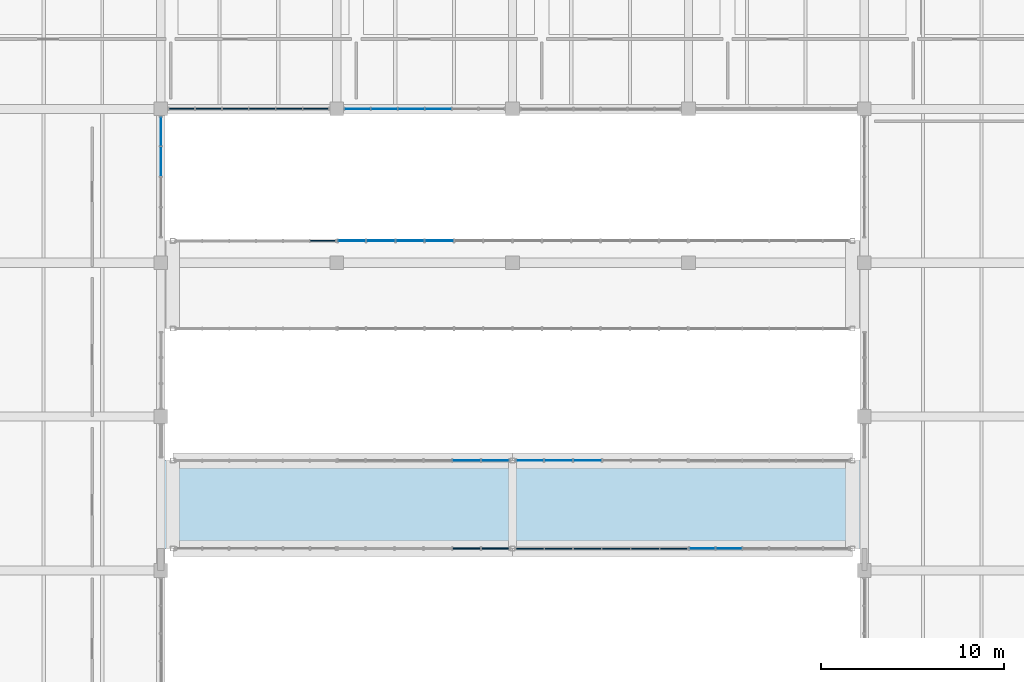
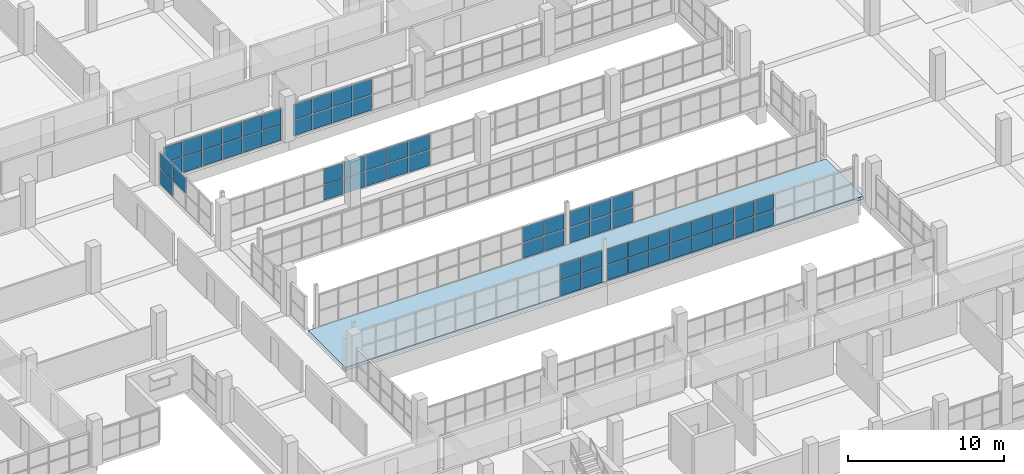
# One storey, part 101 of 147: 63 plates, 1 slab, 10 elements without a shape of their own.
"""IFC4 building model written with IfcOpenShell, lengths in metres."""

from ifc_helpers import new_model, si_unit, direction, frame, origin, origin_2d, place, context, subcontext, project, spatial, polyline, rectangle, outline, extrude, material, layer, layer_set, type_object, element, aggregate, save


model = new_model("IFC4")

# Units and contexts
model_context = context("Model", 3, precision=1e-05, world=origin(), true_north=direction((0.0, 1.0)))
body_context = subcontext(model_context, "Body", "Model", "MODEL_VIEW")
ifc_project = project(units=[si_unit("LENGTHUNIT", "METRE"), si_unit("AREAUNIT", "SQUARE_METRE"), si_unit("VOLUMEUNIT", "CUBIC_METRE"), si_unit("PLANEANGLEUNIT", "RADIAN"), si_unit("MASSUNIT", "GRAM", prefix="KILO")], contexts=[model_context])

# Site, building, storey
site_placement = place(None, origin())
site = spatial("IfcSite", under=ifc_project, at=site_placement, CompositionType="ELEMENT")
building_placement = place(site_placement, origin())
building = spatial("IfcBuilding", under=site, at=building_placement, Name="Oolite Switchyard Hospital", CompositionType="ELEMENT")
storey_placement = place(building_placement, frame((0.0, 0.0, 9.89990234375)))
storey = spatial("IfcBuildingStorey", under=building, at=storey_placement, Name="L02", CompositionType="ELEMENT", Elevation=9.89990234375)

# Curtain wall, plates
ifc_material_1 = material(Name="Thermally broken aluminum frame with laminated impact glazing", Category="aluminium")
curtain_wall_type_1 = type_object("IfcCurtainWallType", Name="CW-BRG-96X38", PredefinedType="USERDEFINED", material=ifc_material_1)
curtain_wall_1_placement = place(storey_placement, origin())
curtain_wall_1 = element("IfcCurtainWall", 1, at=curtain_wall_1_placement, inside=storey, type_object=curtain_wall_type_1, Name="L02 Unitised Curtain Wall 229", ObjectType="UNITISED", PredefinedType="USERDEFINED")
ifc_material_2 = material(Name="Insulated fluoropolymer-coated aluminum spandrel panel", Category="aluminium")
ifc_layer_1 = layer(ifc_material_2, 0.054931640625)
ifc_layer_set_1 = layer_set([ifc_layer_1], Name="CW-PNL-SPN55")
plate_type_1 = type_object("IfcPlateType", Name="CW-PNL-SPN55", PredefinedType="CURTAIN_PANEL", material=ifc_layer_set_1)
plate_1_placement = place(storey_placement, frame((171.996826171875, 34.800048828125, 0.0751953125), z_axis=(0.0, 0.0, 1.0), x_axis=(-1.0, 0.0, 0.0)))
plate_1 = element("IfcPlate", 2, at=plate_1_placement, type_object=plate_type_1, Name="CW-12 panel 1.1", PredefinedType="CURTAIN_PANEL", context=body_context, shape_type="SweptSolid", body=[
    extrude(rectangle(XDim=1.486328125, YDim=0.054931640625, at=origin_2d()), origin(), (0.0, 0.0, 1.0), 1.172607421875),
])
plate_2_placement = place(storey_placement, frame((171.996826171875, 34.800048828125, 1.32275390625), z_axis=(0.0, 0.0, 1.0), x_axis=(-1.0, 0.0, 0.0)))
plate_2 = element("IfcPlate", 3, at=plate_2_placement, type_object=plate_type_1, Name="CW-12 panel 1.2", PredefinedType="CURTAIN_PANEL", context=body_context, shape_type="SweptSolid", body=[
    extrude(rectangle(XDim=1.486328125, YDim=0.054931640625, at=origin_2d()), origin(), (0.0, 0.0, 1.0), 1.172607421875),
])
plate_3_placement = place(storey_placement, frame((170.435546875, 34.800048828125, 0.0751953125), z_axis=(0.0, 0.0, 1.0), x_axis=(-1.0, 0.0, 0.0)))
plate_3 = element("IfcPlate", 4, at=plate_3_placement, type_object=plate_type_1, Name="CW-12 panel 2.1", PredefinedType="CURTAIN_PANEL", context=body_context, shape_type="SweptSolid", body=[
    extrude(rectangle(XDim=1.516357421875, YDim=0.054931640625, at=origin_2d()), origin(), (0.0, 0.0, 1.0), 1.172607421875),
])
plate_4_placement = place(storey_placement, frame((170.435546875, 34.800048828125, 1.32275390625), z_axis=(0.0, 0.0, 1.0), x_axis=(-1.0, 0.0, 0.0)))
plate_4 = element("IfcPlate", 5, at=plate_4_placement, type_object=plate_type_1, Name="CW-12 panel 2.2", PredefinedType="CURTAIN_PANEL", context=body_context, shape_type="SweptSolid", body=[
    extrude(rectangle(XDim=1.516357421875, YDim=0.054931640625, at=origin_2d()), origin(), (0.0, 0.0, 1.0), 1.172607421875),
])
plate_5_placement = place(storey_placement, frame((168.859130859375, 34.800048828125, 0.0751953125), z_axis=(0.0, 0.0, 1.0), x_axis=(-1.0, 0.0, 0.0)))
plate_5 = element("IfcPlate", 6, at=plate_5_placement, type_object=plate_type_1, Name="CW-12 panel 3.1", PredefinedType="CURTAIN_PANEL", context=body_context, shape_type="SweptSolid", body=[
    extrude(rectangle(XDim=1.516357421875, YDim=0.054931640625, at=origin_2d()), origin(), (0.0, 0.0, 1.0), 1.172607421875),
])
plate_6_placement = place(storey_placement, frame((168.859130859375, 34.800048828125, 1.32275390625), z_axis=(0.0, 0.0, 1.0), x_axis=(-1.0, 0.0, 0.0)))
plate_6 = element("IfcPlate", 7, at=plate_6_placement, type_object=plate_type_1, Name="CW-12 panel 3.2", PredefinedType="CURTAIN_PANEL", context=body_context, shape_type="SweptSolid", body=[
    extrude(rectangle(XDim=1.516357421875, YDim=0.054931640625, at=origin_2d()), origin(), (0.0, 0.0, 1.0), 1.172607421875),
])
plate_7_placement = place(storey_placement, frame((167.28271484375, 34.800048828125, 0.0751953125), z_axis=(0.0, 0.0, 1.0), x_axis=(-1.0, 0.0, 0.0)))
plate_7 = element("IfcPlate", 8, at=plate_7_placement, type_object=plate_type_1, Name="CW-12 panel 4.1", PredefinedType="CURTAIN_PANEL", context=body_context, shape_type="SweptSolid", body=[
    extrude(rectangle(XDim=1.516357421875, YDim=0.054931640625, at=origin_2d()), origin(), (0.0, 0.0, 1.0), 1.172607421875),
])
plate_8_placement = place(storey_placement, frame((167.28271484375, 34.800048828125, 1.32275390625), z_axis=(0.0, 0.0, 1.0), x_axis=(-1.0, 0.0, 0.0)))
plate_8 = element("IfcPlate", 9, at=plate_8_placement, type_object=plate_type_1, Name="CW-12 panel 4.2", PredefinedType="CURTAIN_PANEL", context=body_context, shape_type="SweptSolid", body=[
    extrude(rectangle(XDim=1.516357421875, YDim=0.054931640625, at=origin_2d()), origin(), (0.0, 0.0, 1.0), 1.172607421875),
])
plate_9_placement = place(storey_placement, frame((165.70654296875, 34.800048828125, 0.0751953125), z_axis=(0.0, 0.0, 1.0), x_axis=(-1.0, 0.0, 0.0)))
plate_9 = element("IfcPlate", 10, at=plate_9_placement, type_object=plate_type_1, Name="CW-12 panel 5.1", PredefinedType="CURTAIN_PANEL", context=body_context, shape_type="SweptSolid", body=[
    extrude(rectangle(XDim=1.516357421875, YDim=0.054931640625, at=origin_2d()), origin(), (0.0, 0.0, 1.0), 1.172607421875),
])
plate_10_placement = place(storey_placement, frame((165.70654296875, 34.800048828125, 1.32275390625), z_axis=(0.0, 0.0, 1.0), x_axis=(-1.0, 0.0, 0.0)))
plate_10 = element("IfcPlate", 11, at=plate_10_placement, type_object=plate_type_1, Name="CW-12 panel 5.2", PredefinedType="CURTAIN_PANEL", context=body_context, shape_type="SweptSolid", body=[
    extrude(rectangle(XDim=1.516357421875, YDim=0.054931640625, at=origin_2d()), origin(), (0.0, 0.0, 1.0), 1.172607421875),
])
plate_11_placement = place(storey_placement, frame((164.145263671875, 34.800048828125, 0.0751953125), z_axis=(0.0, 0.0, 1.0), x_axis=(-1.0, 0.0, 0.0)))
plate_11 = element("IfcPlate", 12, at=plate_11_placement, type_object=plate_type_1, Name="CW-12 panel 6.1", PredefinedType="CURTAIN_PANEL", context=body_context, shape_type="SweptSolid", body=[
    extrude(rectangle(XDim=1.486328125, YDim=0.054931640625, at=origin_2d()), origin(), (0.0, 0.0, 1.0), 1.172607421875),
])
plate_12_placement = place(storey_placement, frame((164.145263671875, 34.800048828125, 1.32275390625), z_axis=(0.0, 0.0, 1.0), x_axis=(-1.0, 0.0, 0.0)))
plate_12 = element("IfcPlate", 13, at=plate_12_placement, type_object=plate_type_1, Name="CW-12 panel 6.2", PredefinedType="CURTAIN_PANEL", context=body_context, shape_type="SweptSolid", body=[
    extrude(rectangle(XDim=1.486328125, YDim=0.054931640625, at=origin_2d()), origin(), (0.0, 0.0, 1.0), 1.172607421875),
])
aggregate(curtain_wall_1, [plate_1, plate_2, plate_3, plate_4, plate_5, plate_6, plate_7, plate_8, plate_9, plate_10, plate_11, plate_12])

curtain_wall_2_placement = place(storey_placement, origin())
curtain_wall_2 = element("IfcCurtainWall", 14, at=curtain_wall_2_placement, inside=storey, type_object=curtain_wall_type_1, Name="L02 Unitised Curtain Wall 230", ObjectType="UNITISED", PredefinedType="USERDEFINED")
ifc_layer_2 = layer(ifc_material_2, 0.070068359375)
ifc_layer_set_2 = layer_set([ifc_layer_2], Name="CW-PNL-SPN70")
plate_type_2 = type_object("IfcPlateType", Name="CW-PNL-SPN70", PredefinedType="CURTAIN_PANEL", material=ifc_layer_set_2)
plate_13_placement = place(storey_placement, frame((162.25244140625, 34.800048828125, 0.06005859375), z_axis=(0.0, 0.0, 1.0), x_axis=(-1.0, 0.0, 0.0)))
plate_13 = element("IfcPlate", 15, at=plate_13_placement, type_object=plate_type_2, Name="CW-12 panel 1.1", PredefinedType="CURTAIN_PANEL", context=body_context, shape_type="SweptSolid", body=[
    extrude(rectangle(XDim=1.471435546875, YDim=0.070068359375, at=origin_2d()), origin(), (0.0, 0.0, 1.0), 1.195068359375),
])
plate_14_placement = place(storey_placement, frame((162.25244140625, 34.800048828125, 1.31494140625), z_axis=(0.0, 0.0, 1.0), x_axis=(-1.0, 0.0, 0.0)))
plate_14 = element("IfcPlate", 16, at=plate_14_placement, type_object=plate_type_2, Name="CW-12 panel 1.2", PredefinedType="CURTAIN_PANEL", context=body_context, shape_type="SweptSolid", body=[
    extrude(rectangle(XDim=1.471435546875, YDim=0.070068359375, at=origin_2d()), origin(), (0.0, 0.0, 1.0), 1.195068359375),
])
plate_15_placement = place(storey_placement, frame((160.693603515625, 34.800048828125, 0.06005859375), z_axis=(0.0, 0.0, 1.0), x_axis=(-1.0, 0.0, 0.0)))
plate_15 = element("IfcPlate", 17, at=plate_15_placement, type_object=plate_type_2, Name="CW-12 panel 2.1", PredefinedType="CURTAIN_PANEL", context=body_context, shape_type="SweptSolid", body=[
    extrude(rectangle(XDim=1.50634765625, YDim=0.070068359375, at=origin_2d()), origin(), (0.0, 0.0, 1.0), 1.195068359375),
])
plate_16_placement = place(storey_placement, frame((160.693603515625, 34.800048828125, 1.31494140625), z_axis=(0.0, 0.0, 1.0), x_axis=(-1.0, 0.0, 0.0)))
plate_16 = element("IfcPlate", 18, at=plate_16_placement, type_object=plate_type_2, Name="CW-12 panel 2.2", PredefinedType="CURTAIN_PANEL", context=body_context, shape_type="SweptSolid", body=[
    extrude(rectangle(XDim=1.50634765625, YDim=0.070068359375, at=origin_2d()), origin(), (0.0, 0.0, 1.0), 1.195068359375),
])
aggregate(curtain_wall_2, [plate_13, plate_14, plate_15, plate_16])

curtain_wall_3_placement = place(storey_placement, origin())
curtain_wall_3 = element("IfcCurtainWall", 19, at=curtain_wall_3_placement, inside=storey, type_object=curtain_wall_type_1, Name="L02 Unitised Curtain Wall 239", ObjectType="UNITISED", PredefinedType="USERDEFINED")
plate_17_placement = place(storey_placement, frame((152.848388671875, 51.60009765625, 0.0751953125), z_axis=(0.0, 0.0, 1.0), x_axis=(1.0, 0.0, 0.0)))
plate_17 = element("IfcPlate", 20, at=plate_17_placement, type_object=plate_type_2, Name="CW-12 panel 6.1", PredefinedType="CURTAIN_PANEL", context=body_context, shape_type="SweptSolid", body=[
    extrude(rectangle(XDim=1.363037109375, YDim=0.070068359375, at=origin_2d()), origin(), (0.0, 0.0, 1.0), 1.172607421875),
])
plate_18_placement = place(storey_placement, frame((152.848388671875, 51.60009765625, 1.32275390625), z_axis=(0.0, 0.0, 1.0), x_axis=(1.0, 0.0, 0.0)))
plate_18 = element("IfcPlate", 21, at=plate_18_placement, type_object=plate_type_2, Name="CW-12 panel 6.2", PredefinedType="CURTAIN_PANEL", context=body_context, shape_type="SweptSolid", body=[
    extrude(rectangle(XDim=1.363037109375, YDim=0.070068359375, at=origin_2d()), origin(), (0.0, 0.0, 1.0), 1.172607421875),
])
aggregate(curtain_wall_3, [plate_17, plate_18])

curtain_wall_type_2 = type_object("IfcCurtainWallType", Name="CW-UNIT-96X36", PredefinedType="USERDEFINED", material=ifc_material_1)
curtain_wall_4_placement = place(storey_placement, origin())
curtain_wall_4 = element("IfcCurtainWall", 22, at=curtain_wall_4_placement, inside=storey, type_object=curtain_wall_type_2, Name="L02 Unitised Curtain Wall 242", ObjectType="UNITISED", PredefinedType="USERDEFINED")
plate_19_placement = place(storey_placement, frame((152.45751953125, 58.800048828125, 0.06005859375), z_axis=(0.0, 0.0, 1.0), x_axis=(-1.0, 0.0, 0.0)))
plate_19 = element("IfcPlate", 23, at=plate_19_placement, type_object=plate_type_2, Name="CW-03 panel 1.1", PredefinedType="CURTAIN_PANEL", context=body_context, shape_type="SweptSolid", body=[
    extrude(rectangle(XDim=1.364990234375, YDim=0.070068359375, at=origin_2d()), origin(), (0.0, 0.0, 1.0), 1.195068359375),
])
plate_20_placement = place(storey_placement, frame((152.45751953125, 58.800048828125, 1.31494140625), z_axis=(0.0, 0.0, 1.0), x_axis=(-1.0, 0.0, 0.0)))
plate_20 = element("IfcPlate", 24, at=plate_20_placement, type_object=plate_type_2, Name="CW-03 panel 1.2", PredefinedType="CURTAIN_PANEL", context=body_context, shape_type="SweptSolid", body=[
    extrude(rectangle(XDim=1.364990234375, YDim=0.070068359375, at=origin_2d()), origin(), (0.0, 0.0, 1.0), 1.195068359375),
])
plate_21_placement = place(storey_placement, frame((151.0048828125, 58.800048828125, 0.06005859375), z_axis=(0.0, 0.0, 1.0), x_axis=(-1.0, 0.0, 0.0)))
plate_21 = element("IfcPlate", 25, at=plate_21_placement, type_object=plate_type_2, Name="CW-03 panel 2.1", PredefinedType="CURTAIN_PANEL", context=body_context, shape_type="SweptSolid", body=[
    extrude(rectangle(XDim=1.39990234375, YDim=0.070068359375, at=origin_2d()), origin(), (0.0, 0.0, 1.0), 1.195068359375),
])
plate_22_placement = place(storey_placement, frame((151.0048828125, 58.800048828125, 1.31494140625), z_axis=(0.0, 0.0, 1.0), x_axis=(-1.0, 0.0, 0.0)))
plate_22 = element("IfcPlate", 26, at=plate_22_placement, type_object=plate_type_2, Name="CW-03 panel 2.2", PredefinedType="CURTAIN_PANEL", context=body_context, shape_type="SweptSolid", body=[
    extrude(rectangle(XDim=1.39990234375, YDim=0.070068359375, at=origin_2d()), origin(), (0.0, 0.0, 1.0), 1.195068359375),
])
plate_23_placement = place(storey_placement, frame((149.534912109375, 58.800048828125, 0.06005859375), z_axis=(0.0, 0.0, 1.0), x_axis=(-1.0, 0.0, 0.0)))
plate_23 = element("IfcPlate", 27, at=plate_23_placement, type_object=plate_type_2, Name="CW-03 panel 3.1", PredefinedType="CURTAIN_PANEL", context=body_context, shape_type="SweptSolid", body=[
    extrude(rectangle(XDim=1.39990234375, YDim=0.070068359375, at=origin_2d()), origin(), (0.0, 0.0, 1.0), 1.195068359375),
])
plate_24_placement = place(storey_placement, frame((149.534912109375, 58.800048828125, 1.31494140625), z_axis=(0.0, 0.0, 1.0), x_axis=(-1.0, 0.0, 0.0)))
plate_24 = element("IfcPlate", 28, at=plate_24_placement, type_object=plate_type_2, Name="CW-03 panel 3.2", PredefinedType="CURTAIN_PANEL", context=body_context, shape_type="SweptSolid", body=[
    extrude(rectangle(XDim=1.39990234375, YDim=0.070068359375, at=origin_2d()), origin(), (0.0, 0.0, 1.0), 1.195068359375),
])
plate_25_placement = place(storey_placement, frame((148.06494140625, 58.800048828125, 0.06005859375), z_axis=(0.0, 0.0, 1.0), x_axis=(-1.0, 0.0, 0.0)))
plate_25 = element("IfcPlate", 29, at=plate_25_placement, type_object=plate_type_2, Name="CW-03 panel 4.1", PredefinedType="CURTAIN_PANEL", context=body_context, shape_type="SweptSolid", body=[
    extrude(rectangle(XDim=1.39990234375, YDim=0.070068359375, at=origin_2d()), origin(), (0.0, 0.0, 1.0), 1.195068359375),
])
plate_26_placement = place(storey_placement, frame((148.06494140625, 58.800048828125, 1.31494140625), z_axis=(0.0, 0.0, 1.0), x_axis=(-1.0, 0.0, 0.0)))
plate_26 = element("IfcPlate", 30, at=plate_26_placement, type_object=plate_type_2, Name="CW-03 panel 4.2", PredefinedType="CURTAIN_PANEL", context=body_context, shape_type="SweptSolid", body=[
    extrude(rectangle(XDim=1.39990234375, YDim=0.070068359375, at=origin_2d()), origin(), (0.0, 0.0, 1.0), 1.195068359375),
])
plate_27_placement = place(storey_placement, frame((146.594970703125, 58.800048828125, 0.06005859375), z_axis=(0.0, 0.0, 1.0), x_axis=(-1.0, 0.0, 0.0)))
plate_27 = element("IfcPlate", 31, at=plate_27_placement, type_object=plate_type_2, Name="CW-03 panel 5.1", PredefinedType="CURTAIN_PANEL", context=body_context, shape_type="SweptSolid", body=[
    extrude(rectangle(XDim=1.39990234375, YDim=0.070068359375, at=origin_2d()), origin(), (0.0, 0.0, 1.0), 1.195068359375),
])
plate_28_placement = place(storey_placement, frame((146.594970703125, 58.800048828125, 1.31494140625), z_axis=(0.0, 0.0, 1.0), x_axis=(-1.0, 0.0, 0.0)))
plate_28 = element("IfcPlate", 32, at=plate_28_placement, type_object=plate_type_2, Name="CW-03 panel 5.2", PredefinedType="CURTAIN_PANEL", context=body_context, shape_type="SweptSolid", body=[
    extrude(rectangle(XDim=1.39990234375, YDim=0.070068359375, at=origin_2d()), origin(), (0.0, 0.0, 1.0), 1.195068359375),
])
plate_29_placement = place(storey_placement, frame((145.142578125, 58.800048828125, 0.06005859375), z_axis=(0.0, 0.0, 1.0), x_axis=(-1.0, 0.0, 0.0)))
plate_29 = element("IfcPlate", 33, at=plate_29_placement, type_object=plate_type_2, Name="CW-03 panel 6.1", PredefinedType="CURTAIN_PANEL", context=body_context, shape_type="SweptSolid", body=[
    extrude(rectangle(XDim=1.364990234375, YDim=0.070068359375, at=origin_2d()), origin(), (0.0, 0.0, 1.0), 1.195068359375),
])
plate_30_placement = place(storey_placement, frame((145.142578125, 58.800048828125, 1.31494140625), z_axis=(0.0, 0.0, 1.0), x_axis=(-1.0, 0.0, 0.0)))
plate_30 = element("IfcPlate", 34, at=plate_30_placement, type_object=plate_type_2, Name="CW-03 panel 6.2", PredefinedType="CURTAIN_PANEL", context=body_context, shape_type="SweptSolid", body=[
    extrude(rectangle(XDim=1.364990234375, YDim=0.070068359375, at=origin_2d()), origin(), (0.0, 0.0, 1.0), 1.195068359375),
])
aggregate(curtain_wall_4, [plate_19, plate_20, plate_21, plate_22, plate_23, plate_24, plate_25, plate_26, plate_27, plate_28, plate_29, plate_30])

curtain_wall_5_placement = place(storey_placement, origin())
curtain_wall_5 = element("IfcCurtainWall", 35, at=curtain_wall_5_placement, inside=storey, type_object=curtain_wall_type_1, Name="L02 Unitised Curtain Wall 233", ObjectType="UNITISED", PredefinedType="USERDEFINED")
ifc_material_3 = material(Name="Laminated hurricane-impact insulated glazing unit", Category="glass")
ifc_layer_3 = layer(ifc_material_3, 0.028076171875)
ifc_layer_set_3 = layer_set([ifc_layer_3], Name="CW-PNL-VIS28")
plate_type_3 = type_object("IfcPlateType", Name="CW-PNL-VIS28", PredefinedType="CURTAIN_PANEL", material=ifc_layer_set_3)
plate_31_placement = place(storey_placement, frame((160.693603515625, 39.60009765625, 0.0751953125), z_axis=(0.0, 0.0, 1.0), x_axis=(1.0, 0.0, 0.0)))
plate_31 = element("IfcPlate", 36, at=plate_31_placement, type_object=plate_type_3, Name="CW-12 panel 5.1", PredefinedType="CURTAIN_PANEL", context=body_context, shape_type="SweptSolid", body=[
    extrude(rectangle(XDim=1.50634765625, YDim=0.028076171875, at=origin_2d()), origin(), (0.0, 0.0, 1.0), 1.172607421875),
])
plate_32_placement = place(storey_placement, frame((160.693603515625, 39.60009765625, 1.32275390625), z_axis=(0.0, 0.0, 1.0), x_axis=(1.0, 0.0, 0.0)))
plate_32 = element("IfcPlate", 37, at=plate_32_placement, type_object=plate_type_3, Name="CW-12 panel 5.2", PredefinedType="CURTAIN_PANEL", context=body_context, shape_type="SweptSolid", body=[
    extrude(rectangle(XDim=1.50634765625, YDim=0.028076171875, at=origin_2d()), origin(), (0.0, 0.0, 1.0), 1.172607421875),
])
plate_33_placement = place(storey_placement, frame((162.25244140625, 39.60009765625, 0.0751953125), z_axis=(0.0, 0.0, 1.0), x_axis=(1.0, 0.0, 0.0)))
plate_33 = element("IfcPlate", 38, at=plate_33_placement, type_object=plate_type_3, Name="CW-12 panel 6.1", PredefinedType="CURTAIN_PANEL", context=body_context, shape_type="SweptSolid", body=[
    extrude(rectangle(XDim=1.471435546875, YDim=0.028076171875, at=origin_2d()), origin(), (0.0, 0.0, 1.0), 1.172607421875),
])
plate_34_placement = place(storey_placement, frame((162.25244140625, 39.60009765625, 1.32275390625), z_axis=(0.0, 0.0, 1.0), x_axis=(1.0, 0.0, 0.0)))
plate_34 = element("IfcPlate", 39, at=plate_34_placement, type_object=plate_type_3, Name="CW-12 panel 6.2", PredefinedType="CURTAIN_PANEL", context=body_context, shape_type="SweptSolid", body=[
    extrude(rectangle(XDim=1.471435546875, YDim=0.028076171875, at=origin_2d()), origin(), (0.0, 0.0, 1.0), 1.172607421875),
])
aggregate(curtain_wall_5, [plate_31, plate_32, plate_33, plate_34])

curtain_wall_6_placement = place(storey_placement, origin())
curtain_wall_6 = element("IfcCurtainWall", 40, at=curtain_wall_6_placement, inside=storey, type_object=curtain_wall_type_1, Name="L02 Unitised Curtain Wall 231", ObjectType="UNITISED", PredefinedType="USERDEFINED")
ifc_layer_4 = layer(ifc_material_3, 0.031982421875)
ifc_layer_set_4 = layer_set([ifc_layer_4], Name="CW-PNL-VIS32")
plate_type_4 = type_object("IfcPlateType", Name="CW-PNL-VIS32", PredefinedType="CURTAIN_PANEL", material=ifc_layer_set_4)
plate_35_placement = place(storey_placement, frame((175.001953125, 34.800048828125, 0.0751953125), z_axis=(0.0, 0.0, 1.0), x_axis=(-1.0, 0.0, 0.0)))
plate_35 = element("IfcPlate", 41, at=plate_35_placement, type_object=plate_type_4, Name="CW-12 panel 5.1", PredefinedType="CURTAIN_PANEL", context=body_context, shape_type="SweptSolid", body=[
    extrude(rectangle(XDim=1.39306640625, YDim=0.031982421875, at=origin_2d()), origin(), (0.0, 0.0, 1.0), 1.172607421875),
])
plate_36_placement = place(storey_placement, frame((175.001953125, 34.800048828125, 1.32275390625), z_axis=(0.0, 0.0, 1.0), x_axis=(-1.0, 0.0, 0.0)))
plate_36 = element("IfcPlate", 42, at=plate_36_placement, type_object=plate_type_4, Name="CW-12 panel 5.2", PredefinedType="CURTAIN_PANEL", context=body_context, shape_type="SweptSolid", body=[
    extrude(rectangle(XDim=1.39306640625, YDim=0.031982421875, at=origin_2d()), origin(), (0.0, 0.0, 1.0), 1.172607421875),
])
plate_37_placement = place(storey_placement, frame((173.552734375, 34.800048828125, 0.0751953125), z_axis=(0.0, 0.0, 1.0), x_axis=(-1.0, 0.0, 0.0)))
plate_37 = element("IfcPlate", 43, at=plate_37_placement, type_object=plate_type_4, Name="CW-12 panel 6.1", PredefinedType="CURTAIN_PANEL", context=body_context, shape_type="SweptSolid", body=[
    extrude(rectangle(XDim=1.35546875, YDim=0.031982421875, at=origin_2d()), origin(), (0.0, 0.0, 1.0), 1.172607421875),
])
plate_38_placement = place(storey_placement, frame((173.552734375, 34.800048828125, 1.32275390625), z_axis=(0.0, 0.0, 1.0), x_axis=(-1.0, 0.0, 0.0)))
plate_38 = element("IfcPlate", 44, at=plate_38_placement, type_object=plate_type_4, Name="CW-12 panel 6.2", PredefinedType="CURTAIN_PANEL", context=body_context, shape_type="SweptSolid", body=[
    extrude(rectangle(XDim=1.35546875, YDim=0.031982421875, at=origin_2d()), origin(), (0.0, 0.0, 1.0), 1.172607421875),
])
aggregate(curtain_wall_6, [plate_35, plate_36, plate_37, plate_38])

curtain_wall_7_placement = place(storey_placement, origin())
curtain_wall_7 = element("IfcCurtainWall", 45, at=curtain_wall_7_placement, inside=storey, type_object=curtain_wall_type_1, Name="L02 Unitised Curtain Wall 234", ObjectType="UNITISED", PredefinedType="USERDEFINED")
plate_39_placement = place(storey_placement, frame((164.14892578125, 39.60009765625, 0.06005859375), z_axis=(0.0, 0.0, 1.0), x_axis=(1.0, 0.0, 0.0)))
plate_39 = element("IfcPlate", 46, at=plate_39_placement, type_object=plate_type_4, Name="CW-12 panel 1.1", PredefinedType="CURTAIN_PANEL", context=body_context, shape_type="SweptSolid", body=[
    extrude(rectangle(XDim=1.4638671875, YDim=0.031982421875, at=origin_2d()), origin(), (0.0, 0.0, 1.0), 1.195068359375),
])
plate_40_placement = place(storey_placement, frame((164.14892578125, 39.60009765625, 1.31494140625), z_axis=(0.0, 0.0, 1.0), x_axis=(1.0, 0.0, 0.0)))
plate_40 = element("IfcPlate", 47, at=plate_40_placement, type_object=plate_type_4, Name="CW-12 panel 1.2", PredefinedType="CURTAIN_PANEL", context=body_context, shape_type="SweptSolid", body=[
    extrude(rectangle(XDim=1.4638671875, YDim=0.031982421875, at=origin_2d()), origin(), (0.0, 0.0, 1.0), 1.195068359375),
])
plate_41_placement = place(storey_placement, frame((165.70654296875, 39.60009765625, 0.06005859375), z_axis=(0.0, 0.0, 1.0), x_axis=(1.0, 0.0, 0.0)))
plate_41 = element("IfcPlate", 48, at=plate_41_placement, type_object=plate_type_4, Name="CW-12 panel 2.1", PredefinedType="CURTAIN_PANEL", context=body_context, shape_type="SweptSolid", body=[
    extrude(rectangle(XDim=1.501220703125, YDim=0.031982421875, at=origin_2d()), origin(), (0.0, 0.0, 1.0), 1.195068359375),
])
plate_42_placement = place(storey_placement, frame((165.70654296875, 39.60009765625, 1.31494140625), z_axis=(0.0, 0.0, 1.0), x_axis=(1.0, 0.0, 0.0)))
plate_42 = element("IfcPlate", 49, at=plate_42_placement, type_object=plate_type_4, Name="CW-12 panel 2.2", PredefinedType="CURTAIN_PANEL", context=body_context, shape_type="SweptSolid", body=[
    extrude(rectangle(XDim=1.501220703125, YDim=0.031982421875, at=origin_2d()), origin(), (0.0, 0.0, 1.0), 1.195068359375),
])
plate_43_placement = place(storey_placement, frame((167.28271484375, 39.60009765625, 0.06005859375), z_axis=(0.0, 0.0, 1.0), x_axis=(1.0, 0.0, 0.0)))
plate_43 = element("IfcPlate", 50, at=plate_43_placement, type_object=plate_type_4, Name="CW-12 panel 3.1", PredefinedType="CURTAIN_PANEL", context=body_context, shape_type="SweptSolid", body=[
    extrude(rectangle(XDim=1.501220703125, YDim=0.031982421875, at=origin_2d()), origin(), (0.0, 0.0, 1.0), 1.195068359375),
])
plate_44_placement = place(storey_placement, frame((167.28271484375, 39.60009765625, 1.31494140625), z_axis=(0.0, 0.0, 1.0), x_axis=(1.0, 0.0, 0.0)))
plate_44 = element("IfcPlate", 51, at=plate_44_placement, type_object=plate_type_4, Name="CW-12 panel 3.2", PredefinedType="CURTAIN_PANEL", context=body_context, shape_type="SweptSolid", body=[
    extrude(rectangle(XDim=1.501220703125, YDim=0.031982421875, at=origin_2d()), origin(), (0.0, 0.0, 1.0), 1.195068359375),
])
aggregate(curtain_wall_7, [plate_39, plate_40, plate_41, plate_42, plate_43, plate_44])

curtain_wall_8_placement = place(storey_placement, origin())
curtain_wall_8 = element("IfcCurtainWall", 52, at=curtain_wall_8_placement, inside=storey, type_object=curtain_wall_type_1, Name="L02 Unitised Curtain Wall 240", ObjectType="UNITISED", PredefinedType="USERDEFINED")
plate_45_placement = place(storey_placement, frame((154.418701171875, 51.60009765625, 0.06005859375), z_axis=(0.0, 0.0, 1.0), x_axis=(1.0, 0.0, 0.0)))
plate_45 = element("IfcPlate", 53, at=plate_45_placement, type_object=plate_type_4, Name="CW-12 panel 1.1", PredefinedType="CURTAIN_PANEL", context=body_context, shape_type="SweptSolid", body=[
    extrude(rectangle(XDim=1.487548828125, YDim=0.031982421875, at=origin_2d()), origin(), (0.0, 0.0, 1.0), 1.195068359375),
])
plate_46_placement = place(storey_placement, frame((154.418701171875, 51.60009765625, 1.31494140625), z_axis=(0.0, 0.0, 1.0), x_axis=(1.0, 0.0, 0.0)))
plate_46 = element("IfcPlate", 54, at=plate_46_placement, type_object=plate_type_4, Name="CW-12 panel 1.2", PredefinedType="CURTAIN_PANEL", context=body_context, shape_type="SweptSolid", body=[
    extrude(rectangle(XDim=1.487548828125, YDim=0.031982421875, at=origin_2d()), origin(), (0.0, 0.0, 1.0), 1.195068359375),
])
plate_47_placement = place(storey_placement, frame((156.0, 51.60009765625, 0.06005859375), z_axis=(0.0, 0.0, 1.0), x_axis=(1.0, 0.0, 0.0)))
plate_47 = element("IfcPlate", 55, at=plate_47_placement, type_object=plate_type_4, Name="CW-12 panel 2.1", PredefinedType="CURTAIN_PANEL", context=body_context, shape_type="SweptSolid", body=[
    extrude(rectangle(XDim=1.52490234375, YDim=0.031982421875, at=origin_2d()), origin(), (0.0, 0.0, 1.0), 1.195068359375),
])
plate_48_placement = place(storey_placement, frame((156.0, 51.60009765625, 1.31494140625), z_axis=(0.0, 0.0, 1.0), x_axis=(1.0, 0.0, 0.0)))
plate_48 = element("IfcPlate", 56, at=plate_48_placement, type_object=plate_type_4, Name="CW-12 panel 2.2", PredefinedType="CURTAIN_PANEL", context=body_context, shape_type="SweptSolid", body=[
    extrude(rectangle(XDim=1.52490234375, YDim=0.031982421875, at=origin_2d()), origin(), (0.0, 0.0, 1.0), 1.195068359375),
])
plate_49_placement = place(storey_placement, frame((157.60009765625, 51.60009765625, 0.06005859375), z_axis=(0.0, 0.0, 1.0), x_axis=(1.0, 0.0, 0.0)))
plate_49 = element("IfcPlate", 57, at=plate_49_placement, type_object=plate_type_4, Name="CW-12 panel 3.1", PredefinedType="CURTAIN_PANEL", context=body_context, shape_type="SweptSolid", body=[
    extrude(rectangle(XDim=1.52490234375, YDim=0.031982421875, at=origin_2d()), origin(), (0.0, 0.0, 1.0), 1.195068359375),
])
plate_50_placement = place(storey_placement, frame((157.60009765625, 51.60009765625, 1.31494140625), z_axis=(0.0, 0.0, 1.0), x_axis=(1.0, 0.0, 0.0)))
plate_50 = element("IfcPlate", 58, at=plate_50_placement, type_object=plate_type_4, Name="CW-12 panel 3.2", PredefinedType="CURTAIN_PANEL", context=body_context, shape_type="SweptSolid", body=[
    extrude(rectangle(XDim=1.52490234375, YDim=0.031982421875, at=origin_2d()), origin(), (0.0, 0.0, 1.0), 1.195068359375),
])
plate_51_placement = place(storey_placement, frame((159.199951171875, 51.60009765625, 0.06005859375), z_axis=(0.0, 0.0, 1.0), x_axis=(1.0, 0.0, 0.0)))
plate_51 = element("IfcPlate", 59, at=plate_51_placement, type_object=plate_type_4, Name="CW-12 panel 4.1", PredefinedType="CURTAIN_PANEL", context=body_context, shape_type="SweptSolid", body=[
    extrude(rectangle(XDim=1.52490234375, YDim=0.031982421875, at=origin_2d()), origin(), (0.0, 0.0, 1.0), 1.195068359375),
])
plate_52_placement = place(storey_placement, frame((159.199951171875, 51.60009765625, 1.31494140625), z_axis=(0.0, 0.0, 1.0), x_axis=(1.0, 0.0, 0.0)))
plate_52 = element("IfcPlate", 60, at=plate_52_placement, type_object=plate_type_4, Name="CW-12 panel 4.2", PredefinedType="CURTAIN_PANEL", context=body_context, shape_type="SweptSolid", body=[
    extrude(rectangle(XDim=1.52490234375, YDim=0.031982421875, at=origin_2d()), origin(), (0.0, 0.0, 1.0), 1.195068359375),
])
aggregate(curtain_wall_8, [plate_45, plate_46, plate_47, plate_48, plate_49, plate_50, plate_51, plate_52])

curtain_wall_type_3 = type_object("IfcCurtainWallType", Name="CW-UNIT-84X36", PredefinedType="USERDEFINED", material=ifc_material_1)
curtain_wall_9_placement = place(storey_placement, origin())
curtain_wall_9 = element("IfcCurtainWall", 61, at=curtain_wall_9_placement, inside=storey, type_object=curtain_wall_type_3, Name="L02 Unitised Curtain Wall 304", ObjectType="UNITISED", PredefinedType="USERDEFINED")
plate_53_placement = place(storey_placement, frame((144.0, 57.563720703125, 0.06005859375), z_axis=(0.0, 0.0, 1.0), x_axis=(0.0, -1.0, 0.0)))
plate_53 = element("IfcPlate", 62, at=plate_53_placement, type_object=plate_type_4, Name="CW-08 panel 1.1", PredefinedType="CURTAIN_PANEL", context=body_context, shape_type="SweptSolid", body=[
    extrude(rectangle(XDim=1.572509765625, YDim=0.031982421875, at=origin_2d()), origin(), (0.0, 0.0, 1.0), 1.195068359375),
])
plate_54_placement = place(storey_placement, frame((144.0, 57.563720703125, 1.31494140625), z_axis=(0.0, 0.0, 1.0), x_axis=(0.0, -1.0, 0.0)))
plate_54 = element("IfcPlate", 63, at=plate_54_placement, type_object=plate_type_4, Name="CW-08 panel 1.2", PredefinedType="CURTAIN_PANEL", context=body_context, shape_type="SweptSolid", body=[
    extrude(rectangle(XDim=1.572509765625, YDim=0.031982421875, at=origin_2d()), origin(), (0.0, 0.0, 1.0), 1.195068359375),
])
plate_55_placement = place(storey_placement, frame((144.0, 55.916259765625, 1.31494140625), z_axis=(0.0, 0.0, 1.0), x_axis=(0.0, -1.0, 0.0)))
plate_55 = element("IfcPlate", 64, at=plate_55_placement, type_object=plate_type_4, Name="CW-08 panel 2.2", PredefinedType="CURTAIN_PANEL", context=body_context, shape_type="SweptSolid", body=[
    extrude(rectangle(XDim=1.6025390625, YDim=0.031982421875, at=origin_2d()), origin(), (0.0, 0.0, 1.0), 1.195068359375),
])
aggregate(curtain_wall_9, [plate_53, plate_54, plate_55])

curtain_wall_10_placement = place(storey_placement, origin())
curtain_wall_10 = element("IfcCurtainWall", 65, at=curtain_wall_10_placement, inside=storey, type_object=curtain_wall_type_2, Name="L02 Unitised Curtain Wall 244", ObjectType="UNITISED", PredefinedType="USERDEFINED")
ifc_layer_5 = layer(ifc_material_3, 0.035888671875)
ifc_layer_set_5 = layer_set([ifc_layer_5], Name="CW-PNL-VIS36")
plate_type_5 = type_object("IfcPlateType", Name="CW-PNL-VIS36", PredefinedType="CURTAIN_PANEL", material=ifc_layer_set_5)
plate_56_placement = place(storey_placement, frame((159.135009765625, 58.800048828125, 0.06005859375), z_axis=(0.0, 0.0, 1.0), x_axis=(-1.0, 0.0, 0.0)))
plate_56 = element("IfcPlate", 66, at=plate_56_placement, type_object=plate_type_5, Name="CW-03 panel 3.1", PredefinedType="CURTAIN_PANEL", context=body_context, shape_type="SweptSolid", body=[
    extrude(rectangle(XDim=1.409912109375, YDim=0.035888671875, at=origin_2d()), origin(), (0.0, 0.0, 1.0), 1.195068359375),
])
plate_57_placement = place(storey_placement, frame((159.135009765625, 58.800048828125, 1.31494140625), z_axis=(0.0, 0.0, 1.0), x_axis=(-1.0, 0.0, 0.0)))
plate_57 = element("IfcPlate", 67, at=plate_57_placement, type_object=plate_type_5, Name="CW-03 panel 3.2", PredefinedType="CURTAIN_PANEL", context=body_context, shape_type="SweptSolid", body=[
    extrude(rectangle(XDim=1.409912109375, YDim=0.035888671875, at=origin_2d()), origin(), (0.0, 0.0, 1.0), 1.195068359375),
])
plate_58_placement = place(storey_placement, frame((157.6650390625, 58.800048828125, 0.06005859375), z_axis=(0.0, 0.0, 1.0), x_axis=(-1.0, 0.0, 0.0)))
plate_58 = element("IfcPlate", 68, at=plate_58_placement, type_object=plate_type_5, Name="CW-03 panel 4.1", PredefinedType="CURTAIN_PANEL", context=body_context, shape_type="SweptSolid", body=[
    extrude(rectangle(XDim=1.409912109375, YDim=0.035888671875, at=origin_2d()), origin(), (0.0, 0.0, 1.0), 1.195068359375),
])
plate_59_placement = place(storey_placement, frame((157.6650390625, 58.800048828125, 1.31494140625), z_axis=(0.0, 0.0, 1.0), x_axis=(-1.0, 0.0, 0.0)))
plate_59 = element("IfcPlate", 69, at=plate_59_placement, type_object=plate_type_5, Name="CW-03 panel 4.2", PredefinedType="CURTAIN_PANEL", context=body_context, shape_type="SweptSolid", body=[
    extrude(rectangle(XDim=1.409912109375, YDim=0.035888671875, at=origin_2d()), origin(), (0.0, 0.0, 1.0), 1.195068359375),
])
plate_60_placement = place(storey_placement, frame((156.195068359375, 58.800048828125, 0.06005859375), z_axis=(0.0, 0.0, 1.0), x_axis=(-1.0, 0.0, 0.0)))
plate_60 = element("IfcPlate", 70, at=plate_60_placement, type_object=plate_type_5, Name="CW-03 panel 5.1", PredefinedType="CURTAIN_PANEL", context=body_context, shape_type="SweptSolid", body=[
    extrude(rectangle(XDim=1.409912109375, YDim=0.035888671875, at=origin_2d()), origin(), (0.0, 0.0, 1.0), 1.195068359375),
])
plate_61_placement = place(storey_placement, frame((156.195068359375, 58.800048828125, 1.31494140625), z_axis=(0.0, 0.0, 1.0), x_axis=(-1.0, 0.0, 0.0)))
plate_61 = element("IfcPlate", 71, at=plate_61_placement, type_object=plate_type_5, Name="CW-03 panel 5.2", PredefinedType="CURTAIN_PANEL", context=body_context, shape_type="SweptSolid", body=[
    extrude(rectangle(XDim=1.409912109375, YDim=0.035888671875, at=origin_2d()), origin(), (0.0, 0.0, 1.0), 1.195068359375),
])
plate_62_placement = place(storey_placement, frame((154.739990234375, 58.800048828125, 0.06005859375), z_axis=(0.0, 0.0, 1.0), x_axis=(-1.0, 0.0, 0.0)))
plate_62 = element("IfcPlate", 72, at=plate_62_placement, type_object=plate_type_5, Name="CW-03 panel 6.1", PredefinedType="CURTAIN_PANEL", context=body_context, shape_type="SweptSolid", body=[
    extrude(rectangle(XDim=1.3798828125, YDim=0.035888671875, at=origin_2d()), origin(), (0.0, 0.0, 1.0), 1.195068359375),
])
plate_63_placement = place(storey_placement, frame((154.739990234375, 58.800048828125, 1.31494140625), z_axis=(0.0, 0.0, 1.0), x_axis=(-1.0, 0.0, 0.0)))
plate_63 = element("IfcPlate", 73, at=plate_63_placement, type_object=plate_type_5, Name="CW-03 panel 6.2", PredefinedType="CURTAIN_PANEL", context=body_context, shape_type="SweptSolid", body=[
    extrude(rectangle(XDim=1.3798828125, YDim=0.035888671875, at=origin_2d()), origin(), (0.0, 0.0, 1.0), 1.195068359375),
])
aggregate(curtain_wall_10, [plate_56, plate_57, plate_58, plate_59, plate_60, plate_61, plate_62, plate_63])

# Slab
ifc_material_4 = material(Name="Concrete C40/50", Category="concrete")
ifc_layer_6 = layer(ifc_material_4, 0.239990234375)
ifc_layer_set_6 = layer_set([ifc_layer_6], Name="SLB-BRG-240")
slab_type = type_object("IfcSlabType", Name="SLB-BRG-240", PredefinedType="FLOOR", material=ifc_layer_set_6)
slab_placement = place(storey_placement, frame((0.0, 0.0, -0.239990234375)))
element("IfcSlab", 74, at=slab_placement, inside=storey, type_object=slab_type, Name="L02 V6 Slab V6B1", PredefinedType="FLOOR", context=body_context, shape_type="SweptSolid", body=[
    extrude(outline(polyline([(144.050048828125, 34.800048828125), (182.35009765625, 34.800048828125), (182.35009765625, 39.60009765625), (144.050048828125, 39.60009765625), (144.050048828125, 34.800048828125)])), origin(), (0.0, 0.0, 1.0), 0.239990234375),
])

save(model, "model.ifc")
